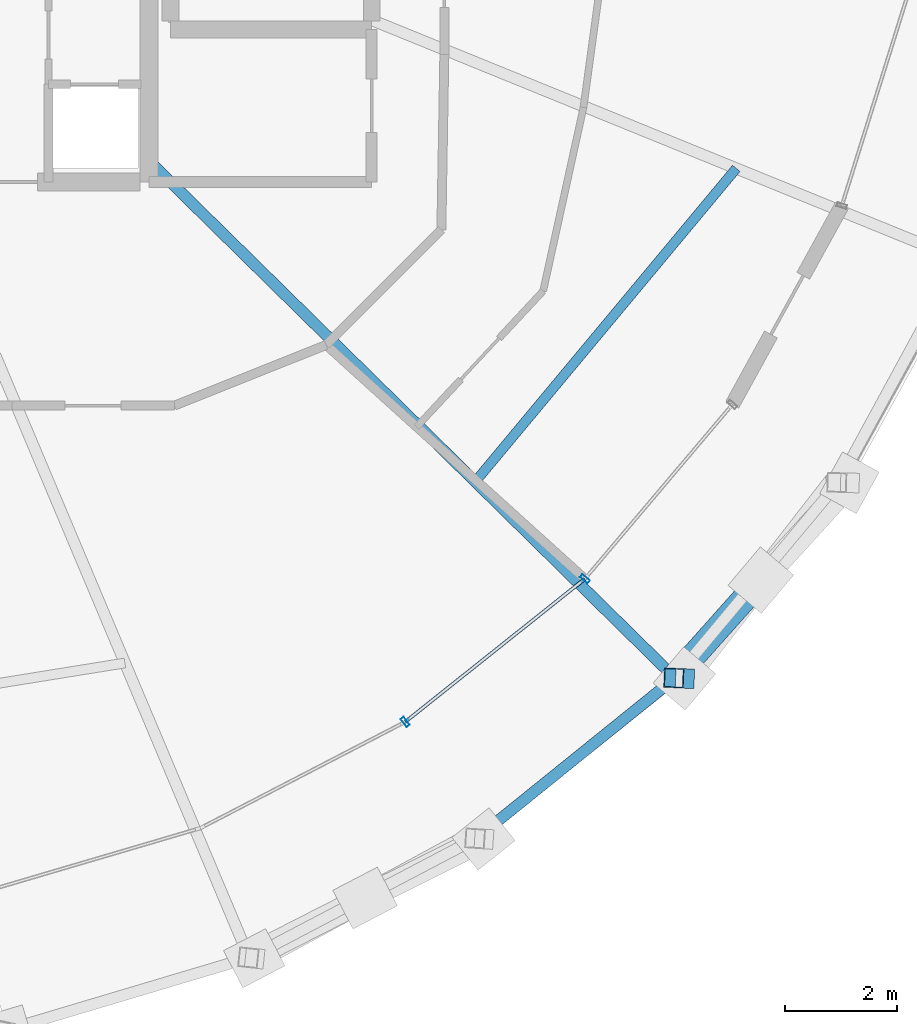
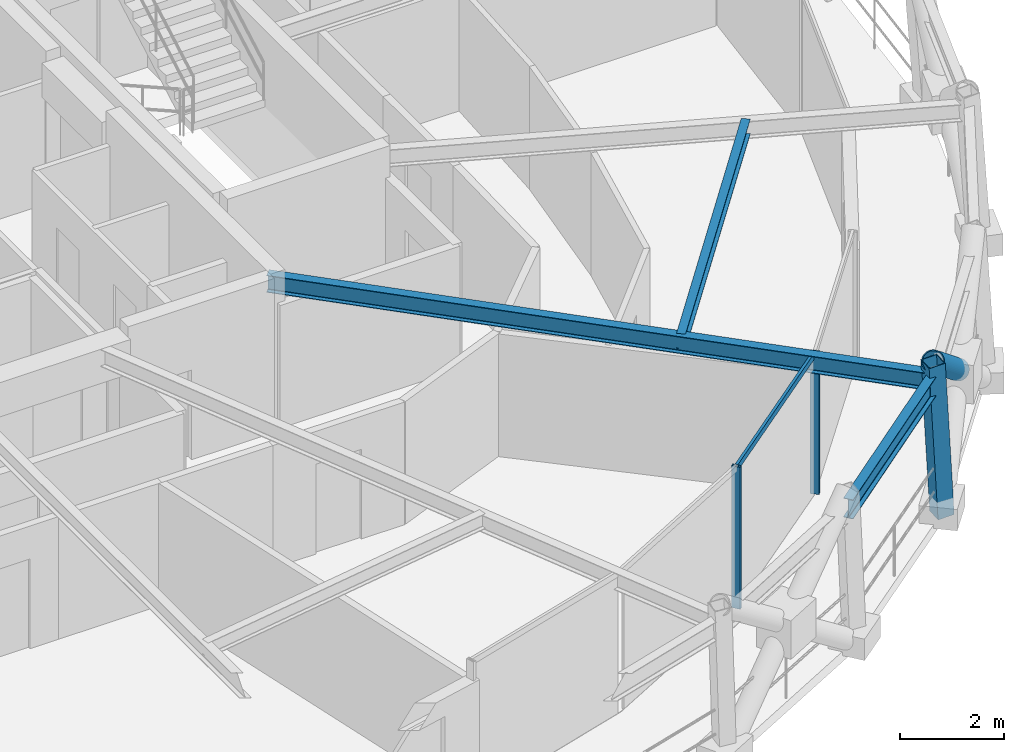
# One storey, part 4 of 16: 5 members, 3 beams, 1 element without a shape of its own.
"""IFC4 building model written with IfcOpenShell, lengths in metres."""

import ifcopenshell
import ifcopenshell.guid

model = None  # the IFC model being written
_history = None  # IfcOwnerHistory: only IFC2X3 demands one
_inside = {}  # id of a spatial element -> (the spatial element, [elements in it])
_under = {}  # id of a project, library or spatial element -> (it, [spatial elements below it])
_declared = {}  # id of a project -> (the project, [libraries it declares])
_typed = {}  # id of a type object -> (the type object, [elements of that type])
_made_of = {}  # id of a material, layer set ... -> (it, [elements and type objects made of it])


def new_model(schema):
    """Start an empty IFC model of exactly this schema.

    Asked for "IFC4X3", IfcOpenShell would pick the latest addendum, in which some entities
    have other attributes; the version numbers below select the first issue.
    IFC2X3 requires an IfcOwnerHistory on every rooted entity: one is made here for all.
    """
    global model, _history
    if schema == "IFC4X3":
        model = ifcopenshell.file(schema_version=(4, 3, 0, 0))
    else:
        model = ifcopenshell.file(schema=schema)
    _inside.clear()
    _under.clear()
    _declared.clear()
    _typed.clear()
    _made_of.clear()
    _history = None
    if model.schema == "IFC2X3":
        org = make("IfcOrganization", Name="unknown")
        user = make(
            "IfcPersonAndOrganization",
            ThePerson=make("IfcPerson", FamilyName="unknown"),
            TheOrganization=org,
        )
        app = make(
            "IfcApplication",
            ApplicationDeveloper=org,
            Version="unknown",
            ApplicationFullName="unknown",
            ApplicationIdentifier="unknown",
        )
        _history = make(
            "IfcOwnerHistory",
            OwningUser=user,
            OwningApplication=app,
            ChangeAction="ADDED",
            CreationDate=0,
        )
    return model


def make(cls, **values):
    """One entity of the class cls with the attributes given. An attribute that is None is left unset."""
    return model.create_entity(
        cls, **{name: value for name, value in values.items() if value is not None}
    )


def rooted(cls, **values):
    """An entity with a GlobalId (a new one), such as an element, a storey or a relation."""
    return make(cls, GlobalId=ifcopenshell.guid.new(), OwnerHistory=_history, **values)


def si_unit(unit_type, name, prefix=None):
    """IfcSIUnit, for example si_unit("LENGTHUNIT", "METRE", prefix="MILLI")."""
    return make("IfcSIUnit", UnitType=unit_type, Prefix=prefix, Name=name)


def assignment(units):
    """IfcUnitAssignment: the units of a project."""
    return None if units is None else make("IfcUnitAssignment", Units=units)


def point(xyz):
    """IfcCartesianPoint."""
    return None if xyz is None else make("IfcCartesianPoint", Coordinates=xyz)


def direction(xyz):
    """IfcDirection."""
    return None if xyz is None else make("IfcDirection", DirectionRatios=xyz)


def frame(location, z_axis=None, x_axis=None):
    """IfcAxis2Placement3D, a coordinate frame: its origin and axes. An axis left out is left unset."""
    return make(
        "IfcAxis2Placement3D",
        Location=point(location),
        Axis=direction(z_axis),
        RefDirection=direction(x_axis),
    )


def frame_2d(location, x_axis=None):
    """IfcAxis2Placement2D, a coordinate frame in the plane: its origin and x axis."""
    return make(
        "IfcAxis2Placement2D", Location=point(location), RefDirection=direction(x_axis)
    )


def origin():
    """The frame at (0, 0, 0) with its axes left unset."""
    return frame((0.0, 0.0, 0.0))


def origin_2d():
    """The frame at (0, 0) in the plane with its x axis left unset."""
    return frame_2d((0.0, 0.0))


def place(relative_to, where):
    """IfcLocalPlacement: puts the frame where relative to a parent placement (None: the world)."""
    return make(
        "IfcLocalPlacement", PlacementRelTo=relative_to, RelativePlacement=where
    )


def context(
    kind, dimensions, precision=None, world=None, true_north=None, identifier=None
):
    """IfcGeometricRepresentationContext, for example the 3D "Model" context."""
    return make(
        "IfcGeometricRepresentationContext",
        ContextIdentifier=identifier,
        ContextType=kind,
        CoordinateSpaceDimension=dimensions,
        Precision=precision,
        WorldCoordinateSystem=world,
        TrueNorth=true_north,
    )


def subcontext(parent, identifier, kind, view, scale=None):
    """IfcGeometricRepresentationSubContext, for example "Body" below "Model"."""
    return make(
        "IfcGeometricRepresentationSubContext",
        ContextIdentifier=identifier,
        ContextType=kind,
        ParentContext=parent,
        TargetScale=scale,
        TargetView=view,
    )


def project(units=None, contexts=None):
    """IfcProject with its units and contexts."""
    return rooted(
        "IfcProject",
        Name="project",
        RepresentationContexts=contexts,
        UnitsInContext=assignment(units),
    )


def spatial(cls, under=None, at=None, **own):
    """A site, building, storey or space (cls), placed at a placement, below another one or the project."""
    s = rooted(cls, ObjectPlacement=at, **own)
    if under is not None:
        _under.setdefault(under.id(), (under, []))[1].append(s)
    return s


def profile(cls, at=None, kind="AREA", **sizes):
    """A parametric profile (cls). Its sizes go by their IFC names, for example OverallWidth=200.0."""
    return make(cls, ProfileType=kind, Position=at, **sizes)


def hollow_rectangle(**sizes):
    """IfcRectangleHollowProfileDef."""
    return profile("IfcRectangleHollowProfileDef", **sizes)


def hollow_circle(**sizes):
    """IfcCircleHollowProfileDef."""
    return profile("IfcCircleHollowProfileDef", **sizes)


def i_section(**sizes):
    """IfcIShapeProfileDef."""
    return profile("IfcIShapeProfileDef", **sizes)


def extrude(swept, where, along, depth):
    """IfcExtrudedAreaSolid: the profile swept, set in the frame where, extruded along a direction by depth."""
    return make(
        "IfcExtrudedAreaSolid",
        SweptArea=swept,
        Position=where,
        ExtrudedDirection=direction(along),
        Depth=depth,
    )


def shape(context_of_items, identifier, shape_type, items):
    """IfcShapeRepresentation: the items that make up one representation, for example the "Body"."""
    return make(
        "IfcShapeRepresentation",
        ContextOfItems=context_of_items,
        RepresentationIdentifier=identifier,
        RepresentationType=shape_type,
        Items=items,
    )


def material(Name=None, Category=None):
    """IfcMaterial."""
    return make("IfcMaterial", Name=Name, Category=Category)


def layer(
    of_material, thickness, ventilated=None, Name=None, Category=None, Priority=None
):
    """IfcMaterialLayer: one layer of a wall or slab, of a material (None: an air gap)."""
    return make(
        "IfcMaterialLayer",
        Material=of_material,
        LayerThickness=thickness,
        IsVentilated=ventilated,
        Name=Name,
        Category=Category,
        Priority=Priority,
    )


def layer_set(layers, Name=None):
    """IfcMaterialLayerSet."""
    return make("IfcMaterialLayerSet", MaterialLayers=layers, LayerSetName=Name)


def material_profile(
    of_material, cross_section, Name=None, Category=None, Priority=None
):
    """IfcMaterialProfile: a cross section and its material."""
    return make(
        "IfcMaterialProfile",
        Name=Name,
        Material=of_material,
        Profile=cross_section,
        Priority=Priority,
        Category=Category,
    )


def profile_set(profiles, Name=None, composite=None):
    """IfcMaterialProfileSet."""
    return make(
        "IfcMaterialProfileSet",
        Name=Name,
        MaterialProfiles=profiles,
        CompositeProfile=composite,
    )


def made_of(thing, what):
    """Note that an element or type object is made of a material, layer set ...; save() writes the relation."""
    if what is not None:
        _made_of.setdefault(what.id(), (what, []))[1].append(thing)
    return thing


def type_object(cls, material=None, **own):
    """A type object (cls), such as IfcWallType, which elements share."""
    return made_of(rooted(cls, **own), material)


def element(
    cls,
    number,
    at=None,
    inside=None,
    cuts=None,
    type_object=None,
    material=None,
    context=None,
    identifier="Body",
    shape_type=None,
    held_by="IfcProductDefinitionShape",
    body=None,
    shapes=None,
    **own,
):
    """One element of the class cls, such as IfcWall. Its Tag is "e" and its number.

    at: its placement. inside: the storey or other place that contains it. cuts: it is an
    opening in that element (IfcRelVoidsElement). A single representation is given by context,
    identifier, shape_type and body (its items); several are given by shapes. held_by: the class
    of the entity that holds the representations. save() writes the other relations.
    """
    e = rooted(cls, Tag="e%d" % number, ObjectPlacement=at, **own)
    if body is not None:
        shapes = [shape(context, identifier, shape_type, body)]
    if shapes is not None:
        e.Representation = make(held_by, Representations=shapes)
    if inside is not None:
        _inside.setdefault(inside.id(), (inside, []))[1].append(e)
    if cuts is not None:
        rooted(
            "IfcRelVoidsElement", RelatingBuildingElement=cuts, RelatedOpeningElement=e
        )
    if type_object is not None:
        _typed.setdefault(type_object.id(), (type_object, []))[1].append(e)
    return made_of(e, material)


def aggregate(whole, parts):
    """IfcRelAggregates: a whole, such as a stair, and the parts it consists of."""
    return rooted("IfcRelAggregates", RelatingObject=whole, RelatedObjects=parts)


def save(model, path):
    """Write the relations noted so far, then the file.

    IfcRelAggregates (storeys below a building ...), IfcRelContainedInSpatialStructure (elements
    in a storey), IfcRelDefinesByType, IfcRelAssociatesMaterial and IfcRelDeclares: one each for
    every whole, place, type object, material and project.
    """
    for whole, parts in _under.values():
        aggregate(whole, parts)
    for where, things in _inside.values():
        rooted(
            "IfcRelContainedInSpatialStructure",
            RelatedElements=things,
            RelatingStructure=where,
        )
    for kind, things in _typed.values():
        rooted("IfcRelDefinesByType", RelatedObjects=things, RelatingType=kind)
    for what, things in _made_of.values():
        rooted("IfcRelAssociatesMaterial", RelatedObjects=things, RelatingMaterial=what)
    for by, libraries in _declared.values():
        rooted("IfcRelDeclares", RelatingContext=by, RelatedDefinitions=libraries)
    model.write(path)


model = new_model("IFC4")

# Units and contexts
model_context = context("Model", 3, precision=1e-05, world=origin(), true_north=direction((0.0, 1.0)))
body_context = subcontext(model_context, "Body", "Model", "MODEL_VIEW")
ifc_project = project(units=[si_unit("LENGTHUNIT", "METRE"), si_unit("AREAUNIT", "SQUARE_METRE"), si_unit("VOLUMEUNIT", "CUBIC_METRE"), si_unit("PLANEANGLEUNIT", "RADIAN"), si_unit("MASSUNIT", "GRAM", prefix="KILO")], contexts=[model_context])

# Site, building, storey
site_placement = place(None, origin())
site = spatial("IfcSite", under=ifc_project, at=site_placement, CompositionType="ELEMENT")
building_placement = place(site_placement, origin())
building = spatial("IfcBuilding", under=site, at=building_placement, Name="Veldorina Hangang Commons", CompositionType="ELEMENT")
storey_placement = place(building_placement, frame((0.0, 0.0, 240.0)))
storey = spatial("IfcBuildingStorey", under=building, at=storey_placement, Name="L62", CompositionType="ELEMENT", Elevation=240.0)

# Beams
ifc_material_1 = material(Name="Steel SM355-TMC", Category="steel")
ifc_material_profile_1 = material_profile(ifc_material_1, i_section(OverallWidth=0.199951171875, OverallDepth=0.39990234375, WebThickness=0.008056640625, FlangeThickness=0.012939453125, FilletRadius=0.012939453125, at=origin_2d()), Name="H-400x200x8x13")
ifc_profile_set_1 = profile_set([ifc_material_profile_1], Name="Steel SM355-TMC")
beam_type_1 = type_object("IfcBeamType", Name="BM-FG400", PredefinedType="BEAM", material=ifc_profile_set_1)
beam_1_placement = place(storey_placement, frame((39.199951171875, 16.92431640625, 3.159912109375), z_axis=(0.713224264229, -0.700935909278, 0.0), x_axis=(0.700935909278, 0.713224264229, 0.0)))
element("IfcBeam", 1, at=beam_1_placement, inside=storey, type_object=beam_type_1, Name="L62 radial floor girder 15", PredefinedType="BEAM", context=body_context, shape_type="SweptSolid", body=[
    extrude(i_section(OverallWidth=0.199951171875, OverallDepth=0.39990234375, WebThickness=0.008056640625, FlangeThickness=0.012939453125, FilletRadius=0.012939453125, at=origin_2d()), origin(), (0.0, 0.0, 1.0), 13.192138671875),
])
ifc_material_profile_2 = material_profile(ifc_material_1, i_section(OverallWidth=0.175048828125, OverallDepth=0.35009765625, WebThickness=0.007080078125, FlangeThickness=0.010986328125, FilletRadius=0.012939453125, at=origin_2d()), Name="H-350x175x7x11")
ifc_profile_set_2 = profile_set([ifc_material_profile_2], Name="Steel SM355-TMC")
beam_type_2 = type_object("IfcBeamType", Name="BM-JST350", PredefinedType="JOIST", material=ifc_profile_set_2)
beam_2_placement = place(storey_placement, frame((45.033447265625, 11.19140625, 3.18505859375), z_axis=(0.640233789569, 0.768180118653, 0.0), x_axis=(-0.768180118653, 0.640233789569, 0.0)))
element("IfcBeam", 2, at=beam_2_placement, inside=storey, type_object=beam_type_2, Name="L62 secondary floor joist 15", PredefinedType="JOIST", context=body_context, shape_type="SweptSolid", body=[
    extrude(i_section(OverallWidth=0.175048828125, OverallDepth=0.35009765625, WebThickness=0.007080078125, FlangeThickness=0.010986328125, FilletRadius=0.012939453125, at=origin_2d()), origin(), (0.0, 0.0, 1.0), 7.29296875),
])
ifc_material_profile_3 = material_profile(ifc_material_1, i_section(OverallWidth=0.199951171875, OverallDepth=0.449951171875, WebThickness=0.009033203125, FlangeThickness=0.013916015625, FilletRadius=0.01611328125, at=origin_2d()), Name="H-450x200x9x14")
ifc_profile_set_3 = profile_set([ifc_material_profile_3], Name="Steel SM355-TMC")
beam_type_3 = type_object("IfcBeamType", Name="BM-RB450", PredefinedType="BEAM", material=ifc_profile_set_3)
beam_3_placement = place(storey_placement, frame((45.04931640625, 4.806884765625, 3.135009765625), z_axis=(0.778414722613, 0.627750364093, 0.0), x_axis=(-0.627750364093, 0.778414722613, 0.0)))
element("IfcBeam", 3, at=beam_3_placement, inside=storey, type_object=beam_type_3, Name="L62 perimeter hoop ring beam 27", PredefinedType="BEAM", context=body_context, shape_type="SweptSolid", body=[
    extrude(i_section(OverallWidth=0.199951171875, OverallDepth=0.449951171875, WebThickness=0.009033203125, FlangeThickness=0.013916015625, FilletRadius=0.01611328125, at=origin_2d()), origin(), (0.0, 0.0, 1.0), 4.57275390625),
])

# Curtain wall, members
ifc_material_2 = material(Name="Glass Low-E Selective", Category="glass")
ifc_layer = layer(ifc_material_2, 0.179931640625)
ifc_layer_set = layer_set([ifc_layer], Name="Glass Low-E Selective")
curtain_wall_type = type_object("IfcCurtainWallType", Name="CW-SYS-Z3", PredefinedType="NOTDEFINED", material=ifc_layer_set)
curtain_wall_placement = place(storey_placement, origin())
curtain_wall = element("IfcCurtainWall", 4, at=curtain_wall_placement, inside=storey, type_object=curtain_wall_type, Name="L62 unitised curtain wall CW-L62-R1", PredefinedType="NOTDEFINED")
ifc_material_3 = material(Name="Aluminium Anodized AA6063-T6", Category="aluminium")
ifc_material_profile_4 = material_profile(ifc_material_3, hollow_rectangle(XDim=0.070068359375, YDim=0.179931640625, WallThickness=0.00390625, at=origin_2d()), Name="ALU-RHS-180x70x4")
ifc_profile_set_4 = profile_set([ifc_material_profile_4], Name="Aluminium Anodized AA6063-T6")
member_type_1 = type_object("IfcMemberType", Name="CW-MUL-180", PredefinedType="MULLION", material=ifc_profile_set_4)
member_1_placement = place(storey_placement, frame((43.781005859375, 6.893310546875, 0.0), z_axis=(0.0, 0.0, 1.0), x_axis=(0.782292973649, 0.622910670465, 0.0)))
member_1 = element("IfcMember", 5, at=member_1_placement, type_object=member_type_1, Name="CW-L62-R1 vertical mullion 2", PredefinedType="MULLION", context=body_context, shape_type="SweptSolid", body=[
    extrude(hollow_rectangle(XDim=0.070068359375, YDim=0.179931640625, WallThickness=0.00390625, at=origin_2d()), origin(), (0.0, 0.0, 1.0), 3.320068359375),
])
member_2_placement = place(storey_placement, frame((46.994384765625, 9.4521484375, 0.0), z_axis=(0.0, 0.0, 1.0), x_axis=(0.645804220899, 0.763503050596, 0.0)))
member_2 = element("IfcMember", 6, at=member_2_placement, type_object=member_type_1, Name="CW-L62-R1 vertical mullion 3", PredefinedType="MULLION", context=body_context, shape_type="SweptSolid", body=[
    extrude(hollow_rectangle(XDim=0.070068359375, YDim=0.179931640625, WallThickness=0.00390625, at=origin_2d()), origin(), (0.0, 0.0, 1.0), 3.320068359375),
])
ifc_material_profile_5 = material_profile(ifc_material_3, hollow_rectangle(XDim=0.06005859375, YDim=0.139892578125, WallThickness=0.00341796875, at=origin_2d()), Name="ALU-RHS-140x60x3.5")
ifc_profile_set_5 = profile_set([ifc_material_profile_5], Name="Aluminium Anodized AA6063-T6")
member_type_2 = type_object("IfcMemberType", Name="CW-TRN-140", PredefinedType="USERDEFINED", material=ifc_profile_set_5)
member_3_placement = place(storey_placement, frame((43.781005859375, 6.893310546875, 3.280029296875), z_axis=(0.782275853776, 0.622932170143, 0.0), x_axis=(-0.622932170143, 0.782275853776, 0.0)))
member_3 = element("IfcMember", 7, at=member_3_placement, type_object=member_type_2, Name="CW-L62-R1 facet 3 transom 1", ObjectType="TRANSOM", PredefinedType="USERDEFINED", context=body_context, shape_type="SweptSolid", body=[
    extrude(hollow_rectangle(XDim=0.06005859375, YDim=0.139892578125, WallThickness=0.00341796875, at=origin_2d()), origin(), (0.0, 0.0, 1.0), 4.107666015625),
])
aggregate(curtain_wall, [member_1, member_2, member_3])

# Members
ifc_material_profile_6 = material_profile(ifc_material_1, hollow_circle(Radius=0.22509765625, WallThickness=0.02197265625, at=origin_2d()), Name="CHS-450x22")
ifc_profile_set_6 = profile_set([ifc_material_profile_6], Name="Steel SM355-TMC")
member_type_3 = type_object("IfcMemberType", Name="DG-CHS450", PredefinedType="BRACE", material=ifc_profile_set_6)
member_4_placement = place(storey_placement, frame((50.14208984375, 9.427734375, 1.8046875), z_axis=(-0.527935616071, -0.592624687173, 0.608341980663), x_axis=(0.746684314814, -0.665178573024, 0.0)))
element("IfcMember", 8, at=member_4_placement, inside=storey, type_object=member_type_3, Name="L62 split perimeter diagrid upper brace 29", PredefinedType="BRACE", context=body_context, shape_type="SweptSolid", body=[
    extrude(hollow_circle(Radius=0.22509765625, WallThickness=0.02197265625, at=origin_2d()), origin(), (0.0, 0.0, 1.0), 2.951416015625),
])
ifc_material_profile_7 = material_profile(ifc_material_1, hollow_rectangle(XDim=0.35009765625, YDim=0.35009765625, WallThickness=0.01611328125, at=origin_2d()), Name="SHS-350x350x16")
ifc_profile_set_7 = profile_set([ifc_material_profile_7], Name="Steel SM355-TMC")
member_type_4 = type_object("IfcMemberType", Name="STR-SHS350", PredefinedType="STRUT", material=ifc_profile_set_7)
member_5_placement = place(storey_placement, frame((48.7763671875, 7.670166015625, 0.0), z_axis=(-0.053361933428, 0.002370136637, 0.99857242427), x_axis=(-0.04437249613, -0.999015055736, 0.0)))
element("IfcMember", 9, at=member_5_placement, inside=storey, type_object=member_type_4, Name="L62 perimeter ring node post 28", PredefinedType="STRUT", context=body_context, shape_type="SweptSolid", body=[
    extrude(hollow_rectangle(XDim=0.35009765625, YDim=0.35009765625, WallThickness=0.01611328125, at=origin_2d()), origin(), (0.0, 0.0, 1.0), 3.605224609375),
])

save(model, "model.ifc")
